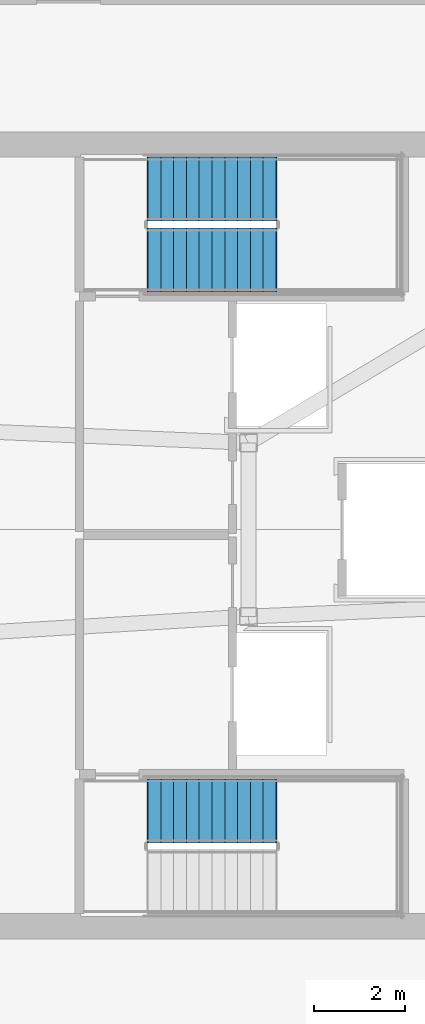
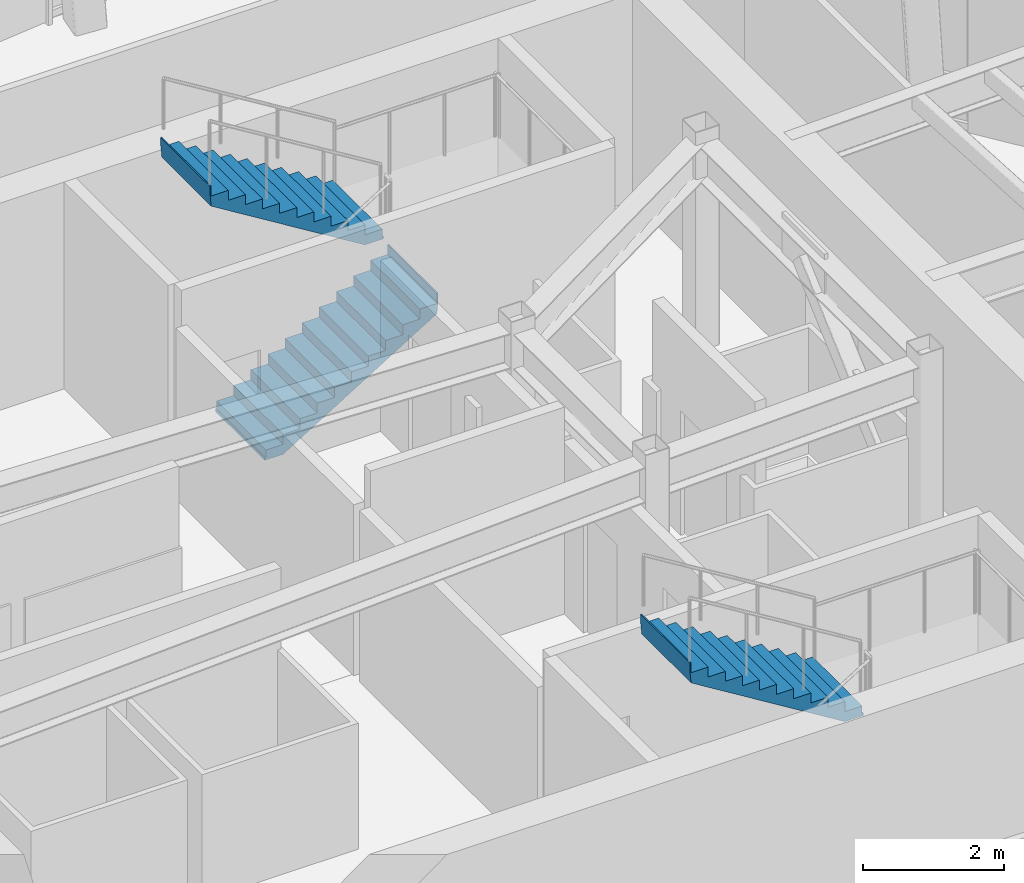
# One storey, part 7 of 11: 3 stair flights, 2 elements without a shape of their own.
"""IFC4 building model written with IfcOpenShell, lengths in metres."""

from ifc_helpers import new_model, si_unit, direction, frame, origin, place, context, subcontext, project, spatial, polyline, outline, extrude, material, type_object, element, aggregate, save


model = new_model("IFC4")

# Units and contexts
model_context = context("Model", 3, precision=1e-05, world=origin(), true_north=direction((0.0, 1.0)))
body_context = subcontext(model_context, "Body", "Model", "MODEL_VIEW")
ifc_project = project(units=[si_unit("LENGTHUNIT", "METRE"), si_unit("AREAUNIT", "SQUARE_METRE"), si_unit("VOLUMEUNIT", "CUBIC_METRE"), si_unit("PLANEANGLEUNIT", "RADIAN"), si_unit("MASSUNIT", "GRAM", prefix="KILO")], contexts=[model_context])

# Site, building, storey
site_placement = place(None, origin())
site = spatial("IfcSite", under=ifc_project, at=site_placement, CompositionType="ELEMENT")
building_placement = place(site_placement, origin())
building = spatial("IfcBuilding", under=site, at=building_placement, Name="Valkerne Bourse Tower", CompositionType="ELEMENT")
storey_placement = place(building_placement, frame((0.0, 0.0, 311.60009765625)))
storey = spatial("IfcBuildingStorey", under=building, at=storey_placement, Name="L79", CompositionType="ELEMENT", Elevation=311.60009765625)

# Stair, stair flight
ifc_material = material(Name="Concrete C40/50", Category="concrete")
stair_type = type_object("IfcStairType", Name="ST-CORE-1400", PredefinedType="HALF_TURN_STAIR", material=ifc_material)
stair_1_placement = place(storey_placement, origin())
stair_1 = element("IfcStair", 1, at=stair_1_placement, inside=storey, type_object=stair_type, Name="L79 ST-1", PredefinedType="HALF_TURN_STAIR")
stair_flight_type = type_object("IfcStairFlightType", Name="STF-CORE-1400", PredefinedType="STRAIGHT", material=ifc_material)
stair_flight_1_placement = place(storey_placement, frame((50.949951171875, 20.85009765625, 1.89990234375), z_axis=(0.0, 0.0, 1.0), x_axis=(-1.0, 0.0, 0.0)))
stair_flight_1 = element("IfcStairFlight", 2, at=stair_flight_1_placement, type_object=stair_flight_type, Name="ST-1 flight 2", NumberOfRisers=11, NumberOfTreads=10, PredefinedType="STRAIGHT", RiserHeight=0.172727273, TreadLength=0.28, context=body_context, shape_type="SweptSolid", body=[
    extrude(outline(polyline([(-0.02001953125, 0.0), (-0.02001953125, 0.044921875), (0.0, 0.044921875), (0.0, 0.172607421875), (0.280029296875, 0.172607421875), (0.280029296875, 0.345458984375), (0.56005859375, 0.345458984375), (0.56005859375, 0.51806640625), (0.840087890625, 0.51806640625), (0.840087890625, 0.69091796875), (1.1201171875, 0.69091796875), (1.1201171875, 0.863525390625), (1.39990234375, 0.863525390625), (1.39990234375, 1.036376953125), (1.679931640625, 1.036376953125), (1.679931640625, 1.208984375), (1.9599609375, 1.208984375), (1.9599609375, 1.3818359375), (2.239990234375, 1.3818359375), (2.239990234375, 1.554443359375), (2.52001953125, 1.554443359375), (2.52001953125, 1.727294921875), (2.800048828125, 1.727294921875), (2.800048828125, 1.89990234375), (2.820068359375, 1.89990234375), (2.820068359375, 1.780029296875), (2.800048828125, 1.551025390625), (0.285400390625, 0.0), (-0.02001953125, 0.0)])), frame((0.0, 0.699951171875, 0.0), z_axis=(0.0, -1.0, 0.0), x_axis=(1.0, 0.0, 0.0)), (0.0, 0.0, 1.0), 1.39990234375),
])
aggregate(stair_1, [stair_flight_1])

# Stair, stair flights
stair_2_placement = place(storey_placement, origin())
stair_2 = element("IfcStair", 3, at=stair_2_placement, inside=storey, type_object=stair_type, Name="L79 ST-2", PredefinedType="HALF_TURN_STAIR")
stair_flight_2_placement = place(storey_placement, frame((48.14990234375, 32.89990234375, 0.0), z_axis=(0.0, 0.0, 1.0), x_axis=(1.0, 0.0, 0.0)))
stair_flight_2 = element("IfcStairFlight", 4, at=stair_flight_2_placement, type_object=stair_flight_type, Name="ST-2 flight 1", NumberOfRisers=11, NumberOfTreads=10, PredefinedType="STRAIGHT", RiserHeight=0.172727273, TreadLength=0.28, context=body_context, shape_type="SweptSolid", body=[
    extrude(outline(polyline([(-0.02001953125, 0.0), (-0.02001953125, 0.044921875), (0.0, 0.044921875), (0.0, 0.172607421875), (0.280029296875, 0.172607421875), (0.280029296875, 0.345458984375), (0.56005859375, 0.345458984375), (0.56005859375, 0.51806640625), (0.840087890625, 0.51806640625), (0.840087890625, 0.69091796875), (1.1201171875, 0.69091796875), (1.1201171875, 0.863525390625), (1.39990234375, 0.863525390625), (1.39990234375, 1.036376953125), (1.679931640625, 1.036376953125), (1.679931640625, 1.208984375), (1.9599609375, 1.208984375), (1.9599609375, 1.3818359375), (2.239990234375, 1.3818359375), (2.239990234375, 1.554443359375), (2.52001953125, 1.554443359375), (2.52001953125, 1.727294921875), (2.800048828125, 1.727294921875), (2.800048828125, 1.89990234375), (2.820068359375, 1.89990234375), (2.820068359375, 1.780029296875), (2.800048828125, 1.551025390625), (0.285400390625, 0.0), (-0.02001953125, 0.0)])), frame((0.0, 0.699951171875, 0.0), z_axis=(0.0, -1.0, 0.0), x_axis=(1.0, 0.0, 0.0)), (0.0, 0.0, 1.0), 1.39990234375),
])
stair_flight_3_placement = place(storey_placement, frame((50.949951171875, 34.449951171875, 1.89990234375), z_axis=(0.0, 0.0, 1.0), x_axis=(-1.0, 0.0, 0.0)))
stair_flight_3 = element("IfcStairFlight", 5, at=stair_flight_3_placement, type_object=stair_flight_type, Name="ST-2 flight 2", NumberOfRisers=11, NumberOfTreads=10, PredefinedType="STRAIGHT", RiserHeight=0.172727273, TreadLength=0.28, context=body_context, shape_type="SweptSolid", body=[
    extrude(outline(polyline([(-0.02001953125, 0.0), (-0.02001953125, 0.044921875), (0.0, 0.044921875), (0.0, 0.172607421875), (0.280029296875, 0.172607421875), (0.280029296875, 0.345458984375), (0.56005859375, 0.345458984375), (0.56005859375, 0.51806640625), (0.840087890625, 0.51806640625), (0.840087890625, 0.69091796875), (1.1201171875, 0.69091796875), (1.1201171875, 0.863525390625), (1.39990234375, 0.863525390625), (1.39990234375, 1.036376953125), (1.679931640625, 1.036376953125), (1.679931640625, 1.208984375), (1.9599609375, 1.208984375), (1.9599609375, 1.3818359375), (2.239990234375, 1.3818359375), (2.239990234375, 1.554443359375), (2.52001953125, 1.554443359375), (2.52001953125, 1.727294921875), (2.800048828125, 1.727294921875), (2.800048828125, 1.89990234375), (2.820068359375, 1.89990234375), (2.820068359375, 1.780029296875), (2.800048828125, 1.551025390625), (0.285400390625, 0.0), (-0.02001953125, 0.0)])), frame((0.0, 0.699951171875, 0.0), z_axis=(0.0, -1.0, 0.0), x_axis=(1.0, 0.0, 0.0)), (0.0, 0.0, 1.0), 1.39990234375),
])
aggregate(stair_2, [stair_flight_2, stair_flight_3])

save(model, "model.ifc")
